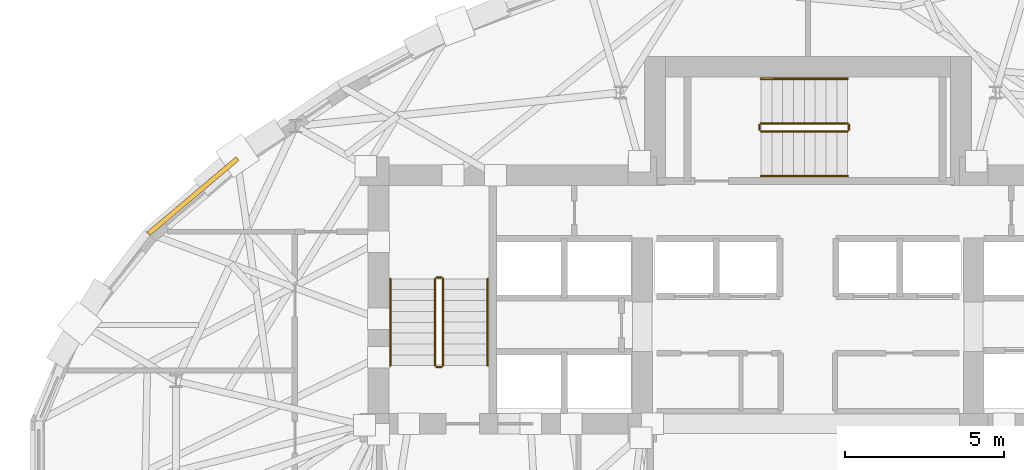
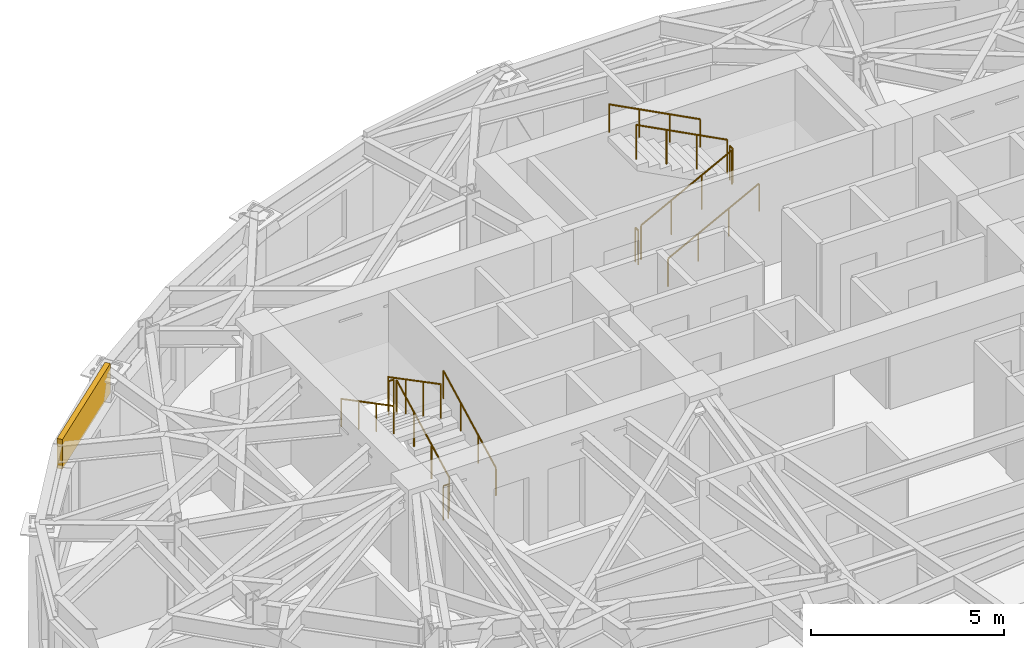
# One storey, part 12 of 14: 12 railings, 1 covering.
"""IFC4 building model written with IfcOpenShell, lengths in metres."""

from ifc_helpers import new_model, si_unit, direction, frame, origin, origin_2d, place, context, subcontext, project, spatial, rectangle, circle, extrude, material, layer, layer_set, type_object, element, save


model = new_model("IFC4")

# Units and contexts
model_context = context("Model", 3, precision=1e-05, world=origin(), true_north=direction((0.0, 1.0)))
body_context = subcontext(model_context, "Body", "Model", "MODEL_VIEW")
ifc_project = project(units=[si_unit("LENGTHUNIT", "METRE"), si_unit("AREAUNIT", "SQUARE_METRE"), si_unit("VOLUMEUNIT", "CUBIC_METRE"), si_unit("PLANEANGLEUNIT", "RADIAN"), si_unit("MASSUNIT", "GRAM", prefix="KILO")], contexts=[model_context])

# Site, building, storey
site_placement = place(None, origin())
site = spatial("IfcSite", under=ifc_project, at=site_placement, CompositionType="ELEMENT")
building_placement = place(site_placement, origin())
building = spatial("IfcBuilding", under=site, at=building_placement, Name="Keldmark Tower", CompositionType="ELEMENT")
storey_placement = place(building_placement, frame((0.0, 0.0, 191.800048828125)))
storey = spatial("IfcBuildingStorey", under=building, at=storey_placement, Name="L53", CompositionType="ELEMENT", Elevation=191.800048828125)

# Covering
ifc_material_1 = material(Name="Honed Kasota Buff Dolomitic Limestone", Category="masonry")
ifc_layer = layer(ifc_material_1, 0.074951171875)
ifc_layer_set = layer_set([ifc_layer], Name="Honed Kasota Buff Dolomitic Limestone")
covering_type = type_object("IfcCoveringType", Name="Kasota Buff Limestone Spandrel Cladding Band", PredefinedType="CLADDING", material=ifc_layer_set)
covering_placement = place(storey_placement, frame((-19.29052734375, 8.67041015625, 2.239013671875), z_axis=(0.0, 0.0, 1.0), x_axis=(-0.764291479286, -0.644870944213, 0.0)))
element("IfcCovering", 1, at=covering_placement, inside=storey, type_object=covering_type, Name="L53 Kasota Limestone Spandrel Band 13", PredefinedType="CLADDING", context=body_context, shape_type="SweptSolid", body=[
    extrude(rectangle(XDim=3.651611328125, YDim=0.14990234375, at=origin_2d()), origin(), (0.0, 0.0, 1.0), 0.94091796875),
])

# Railings
ifc_material_2 = material(Name="Painted Steel ASTM A500 Grade B", Category="steel")
railing_type_1 = type_object("IfcRailingType", Name="Painted Steel Stair Well Guard 1100 mm", PredefinedType="GUARDRAIL", material=ifc_material_2)
railing_1_placement = place(storey_placement, frame((-11.449951171875, 3.35009765625, 0.177734375)))
element("IfcRailing", 2, at=railing_1_placement, inside=storey, type_object=railing_type_1, Name="L53 ST1 stair guard 1", PredefinedType="GUARDRAIL", context=body_context, shape_type="SweptSolid", body=[
    extrude(circle(Radius=0.02392578125, at=origin_2d()), frame((0.0, 0.0, 1.076171875), z_axis=(0.0, 0.886183135912, 0.463335137482), x_axis=(-1.0, 0.0, 0.0)), (0.0, 0.0, 1.0), 3.0693359375),
    extrude(circle(Radius=0.02099609375, at=origin_2d()), origin(), (0.0, 0.0, 1.0), 1.052001953125),
    extrude(circle(Radius=0.02099609375, at=origin_2d()), frame((0.0, 0.90673828125, 0.47412109375)), (0.0, 0.0, 1.0), 1.052001953125),
    extrude(circle(Radius=0.02099609375, at=origin_2d()), frame((0.0, 1.813232421875, 0.947998046875)), (0.0, 0.0, 1.0), 1.052001953125),
    extrude(circle(Radius=0.02099609375, at=origin_2d()), frame((0.0, 2.719970703125, 1.422119140625)), (0.0, 0.0, 1.0), 1.052001953125),
])
railing_2_placement = place(storey_placement, frame((-11.5, 6.1201171875, 1.599853515625)))
element("IfcRailing", 3, at=railing_2_placement, inside=storey, type_object=railing_type_1, Name="L53 ST1 stair guard 2", PredefinedType="GUARDRAIL", context=body_context, shape_type="SweptSolid", body=[
    extrude(circle(Radius=0.02392578125, at=origin_2d()), frame((0.0, 0.0, 1.076171875), z_axis=(-1.0, 0.0, 0.0), x_axis=(0.0, -1.0, 0.0)), (0.0, 0.0, 1.0), 0.14990234375),
    extrude(circle(Radius=0.02099609375, at=origin_2d()), origin(), (0.0, 0.0, 1.0), 1.052001953125),
    extrude(circle(Radius=0.02099609375, at=origin_2d()), frame((-0.14990234375, 0.0, 0.0)), (0.0, 0.0, 1.0), 1.052001953125),
])
railing_3_placement = place(storey_placement, frame((-11.699951171875, 6.070068359375, 1.77783203125)))
element("IfcRailing", 4, at=railing_3_placement, inside=storey, type_object=railing_type_1, Name="L53 ST1 stair guard 3", PredefinedType="GUARDRAIL", context=body_context, shape_type="SweptSolid", body=[
    extrude(circle(Radius=0.02392578125, at=origin_2d()), frame((0.0, 0.0, 1.076171875), z_axis=(0.0, -0.886183135912, 0.463335137482), x_axis=(1.0, 0.0, 0.0)), (0.0, 0.0, 1.0), 3.0693359375),
    extrude(circle(Radius=0.02099609375, at=origin_2d()), origin(), (0.0, 0.0, 1.0), 1.052001953125),
    extrude(circle(Radius=0.02099609375, at=origin_2d()), frame((0.0, -0.90673828125, 0.47412109375)), (0.0, 0.0, 1.0), 1.052001953125),
    extrude(circle(Radius=0.02099609375, at=origin_2d()), frame((0.0, -1.813232421875, 0.947998046875)), (0.0, 0.0, 1.0), 1.052001953125),
    extrude(circle(Radius=0.02099609375, at=origin_2d()), frame((0.0, -2.719970703125, 1.422119140625)), (0.0, 0.0, 1.0), 1.052001953125),
])
railing_4_placement = place(storey_placement, frame((-11.5, 3.300048828125, 0.0)))
element("IfcRailing", 5, at=railing_4_placement, inside=storey, type_object=railing_type_1, Name="L53 ST1 stair guard 4", PredefinedType="GUARDRAIL", context=body_context, shape_type="SweptSolid", body=[
    extrude(circle(Radius=0.02392578125, at=origin_2d()), frame((0.0, 0.0, 1.076171875), z_axis=(-1.0, 0.0, 0.0), x_axis=(0.0, -1.0, 0.0)), (0.0, 0.0, 1.0), 0.14990234375),
    extrude(circle(Radius=0.02099609375, at=origin_2d()), origin(), (0.0, 0.0, 1.0), 1.052001953125),
    extrude(circle(Radius=0.02099609375, at=origin_2d()), frame((-0.14990234375, 0.0, 0.0)), (0.0, 0.0, 1.0), 1.052001953125),
])
railing_5_placement = place(storey_placement, frame((-1.47509765625, 10.699951171875, 0.177734375)))
element("IfcRailing", 6, at=railing_5_placement, inside=storey, type_object=railing_type_1, Name="L53 ST3 stair guard 1", PredefinedType="GUARDRAIL", context=body_context, shape_type="SweptSolid", body=[
    extrude(circle(Radius=0.02392578125, at=origin_2d()), frame((0.0, 0.0, 1.076171875), z_axis=(0.886200210249, 0.0, 0.463302479331), x_axis=(0.0, 1.0, 0.0)), (0.0, 0.0, 1.0), 3.069580078125),
    extrude(circle(Radius=0.02099609375, at=origin_2d()), origin(), (0.0, 0.0, 1.0), 1.052001953125),
    extrude(circle(Radius=0.02099609375, at=origin_2d()), frame((0.90673828125, 0.0, 0.47412109375)), (0.0, 0.0, 1.0), 1.052001953125),
    extrude(circle(Radius=0.02099609375, at=origin_2d()), frame((1.8134765625, 0.0, 0.947998046875)), (0.0, 0.0, 1.0), 1.052001953125),
    extrude(circle(Radius=0.02099609375, at=origin_2d()), frame((2.72021484375, 0.0, 1.422119140625)), (0.0, 0.0, 1.0), 1.052001953125),
])
railing_6_placement = place(storey_placement, frame((1.294921875, 10.75, 1.599853515625)))
element("IfcRailing", 7, at=railing_6_placement, inside=storey, type_object=railing_type_1, Name="L53 ST3 stair guard 2", PredefinedType="GUARDRAIL", context=body_context, shape_type="SweptSolid", body=[
    extrude(circle(Radius=0.02392578125, at=origin_2d()), frame((0.0, 0.0, 1.076171875), z_axis=(0.0, 1.0, 0.0), x_axis=(-1.0, 0.0, 0.0)), (0.0, 0.0, 1.0), 0.14990234375),
    extrude(circle(Radius=0.02099609375, at=origin_2d()), origin(), (0.0, 0.0, 1.0), 1.052001953125),
    extrude(circle(Radius=0.02099609375, at=origin_2d()), frame((0.0, 0.14990234375, 0.0)), (0.0, 0.0, 1.0), 1.052001953125),
])
railing_7_placement = place(storey_placement, frame((1.2451171875, 10.949951171875, 1.77783203125)))
element("IfcRailing", 8, at=railing_7_placement, inside=storey, type_object=railing_type_1, Name="L53 ST3 stair guard 3", PredefinedType="GUARDRAIL", context=body_context, shape_type="SweptSolid", body=[
    extrude(circle(Radius=0.02392578125, at=origin_2d()), frame((0.0, 0.0, 1.076171875), z_axis=(-0.886200210249, 0.0, 0.463302479331), x_axis=(0.0, -1.0, 0.0)), (0.0, 0.0, 1.0), 3.069580078125),
    extrude(circle(Radius=0.02099609375, at=origin_2d()), origin(), (0.0, 0.0, 1.0), 1.052001953125),
    extrude(circle(Radius=0.02099609375, at=origin_2d()), frame((-0.90673828125, 0.0, 0.47412109375)), (0.0, 0.0, 1.0), 1.052001953125),
    extrude(circle(Radius=0.02099609375, at=origin_2d()), frame((-1.8134765625, 0.0, 0.947998046875)), (0.0, 0.0, 1.0), 1.052001953125),
    extrude(circle(Radius=0.02099609375, at=origin_2d()), frame((-2.72021484375, 0.0, 1.422119140625)), (0.0, 0.0, 1.0), 1.052001953125),
])
railing_8_placement = place(storey_placement, frame((-1.52490234375, 10.75, 0.0)))
element("IfcRailing", 9, at=railing_8_placement, inside=storey, type_object=railing_type_1, Name="L53 ST3 stair guard 4", PredefinedType="GUARDRAIL", context=body_context, shape_type="SweptSolid", body=[
    extrude(circle(Radius=0.02392578125, at=origin_2d()), frame((0.0, 0.0, 1.076171875), z_axis=(0.0, 1.0, 0.0), x_axis=(-1.0, 0.0, 0.0)), (0.0, 0.0, 1.0), 0.14990234375),
    extrude(circle(Radius=0.02099609375, at=origin_2d()), origin(), (0.0, 0.0, 1.0), 1.052001953125),
    extrude(circle(Radius=0.02099609375, at=origin_2d()), frame((0.0, 0.14990234375, 0.0)), (0.0, 0.0, 1.0), 1.052001953125),
])
ifc_material_3 = material(Name="Stainless Steel AISI 316L", Category="steel")
railing_type_2 = type_object("IfcRailingType", Name="Stainless Steel Stair Handrail 900 mm", PredefinedType="HANDRAIL", material=ifc_material_3)
railing_9_placement = place(storey_placement, frame((-10.050048828125, 3.35009765625, 0.177734375)))
element("IfcRailing", 10, at=railing_9_placement, inside=storey, type_object=railing_type_2, Name="L53 ST1 stair handrail 1", PredefinedType="HANDRAIL", context=body_context, shape_type="SweptSolid", body=[
    extrude(circle(Radius=0.02392578125, at=origin_2d()), frame((0.0, 0.0, 0.8759765625), z_axis=(0.0, 0.886183135912, 0.463335137482), x_axis=(-1.0, 0.0, 0.0)), (0.0, 0.0, 1.0), 3.0693359375),
    extrude(circle(Radius=0.02099609375, at=origin_2d()), origin(), (0.0, 0.0, 1.0), 0.851806640625),
    extrude(circle(Radius=0.02099609375, at=origin_2d()), frame((0.0, 0.90673828125, 0.47412109375)), (0.0, 0.0, 1.0), 0.851806640625),
    extrude(circle(Radius=0.02099609375, at=origin_2d()), frame((0.0, 1.813232421875, 0.947998046875)), (0.0, 0.0, 1.0), 0.851806640625),
    extrude(circle(Radius=0.02099609375, at=origin_2d()), frame((0.0, 2.719970703125, 1.422119140625)), (0.0, 0.0, 1.0), 0.851806640625),
])
railing_10_placement = place(storey_placement, frame((-13.10009765625, 6.070068359375, 1.77783203125)))
element("IfcRailing", 11, at=railing_10_placement, inside=storey, type_object=railing_type_2, Name="L53 ST1 stair handrail 2", PredefinedType="HANDRAIL", context=body_context, shape_type="SweptSolid", body=[
    extrude(circle(Radius=0.02392578125, at=origin_2d()), frame((0.0, 0.0, 0.8759765625), z_axis=(0.0, -0.886183135912, 0.463335137482), x_axis=(1.0, 0.0, 0.0)), (0.0, 0.0, 1.0), 3.0693359375),
    extrude(circle(Radius=0.02099609375, at=origin_2d()), origin(), (0.0, 0.0, 1.0), 0.851806640625),
    extrude(circle(Radius=0.02099609375, at=origin_2d()), frame((0.0, -0.90673828125, 0.47412109375)), (0.0, 0.0, 1.0), 0.851806640625),
    extrude(circle(Radius=0.02099609375, at=origin_2d()), frame((0.0, -1.813232421875, 0.947998046875)), (0.0, 0.0, 1.0), 0.851806640625),
    extrude(circle(Radius=0.02099609375, at=origin_2d()), frame((0.0, -2.719970703125, 1.422119140625)), (0.0, 0.0, 1.0), 0.851806640625),
])
railing_11_placement = place(storey_placement, frame((-1.47509765625, 9.300048828125, 0.177734375)))
element("IfcRailing", 12, at=railing_11_placement, inside=storey, type_object=railing_type_2, Name="L53 ST3 stair handrail 1", PredefinedType="HANDRAIL", context=body_context, shape_type="SweptSolid", body=[
    extrude(circle(Radius=0.02392578125, at=origin_2d()), frame((0.0, 0.0, 0.8759765625), z_axis=(0.886200210249, 0.0, 0.463302479331), x_axis=(0.0, 1.0, 0.0)), (0.0, 0.0, 1.0), 3.069580078125),
    extrude(circle(Radius=0.02099609375, at=origin_2d()), origin(), (0.0, 0.0, 1.0), 0.851806640625),
    extrude(circle(Radius=0.02099609375, at=origin_2d()), frame((0.90673828125, 0.0, 0.47412109375)), (0.0, 0.0, 1.0), 0.851806640625),
    extrude(circle(Radius=0.02099609375, at=origin_2d()), frame((1.8134765625, 0.0, 0.947998046875)), (0.0, 0.0, 1.0), 0.851806640625),
    extrude(circle(Radius=0.02099609375, at=origin_2d()), frame((2.72021484375, 0.0, 1.422119140625)), (0.0, 0.0, 1.0), 0.851806640625),
])
railing_12_placement = place(storey_placement, frame((1.2451171875, 12.35009765625, 1.77783203125)))
element("IfcRailing", 13, at=railing_12_placement, inside=storey, type_object=railing_type_2, Name="L53 ST3 stair handrail 2", PredefinedType="HANDRAIL", context=body_context, shape_type="SweptSolid", body=[
    extrude(circle(Radius=0.02392578125, at=origin_2d()), frame((0.0, 0.0, 0.8759765625), z_axis=(-0.886200210249, 0.0, 0.463302479331), x_axis=(0.0, -1.0, 0.0)), (0.0, 0.0, 1.0), 3.069580078125),
    extrude(circle(Radius=0.02099609375, at=origin_2d()), origin(), (0.0, 0.0, 1.0), 0.851806640625),
    extrude(circle(Radius=0.02099609375, at=origin_2d()), frame((-0.90673828125, 0.0, 0.47412109375)), (0.0, 0.0, 1.0), 0.851806640625),
    extrude(circle(Radius=0.02099609375, at=origin_2d()), frame((-1.8134765625, 0.0, 0.947998046875)), (0.0, 0.0, 1.0), 0.851806640625),
    extrude(circle(Radius=0.02099609375, at=origin_2d()), frame((-2.72021484375, 0.0, 1.422119140625)), (0.0, 0.0, 1.0), 0.851806640625),
])

save(model, "model.ifc")
